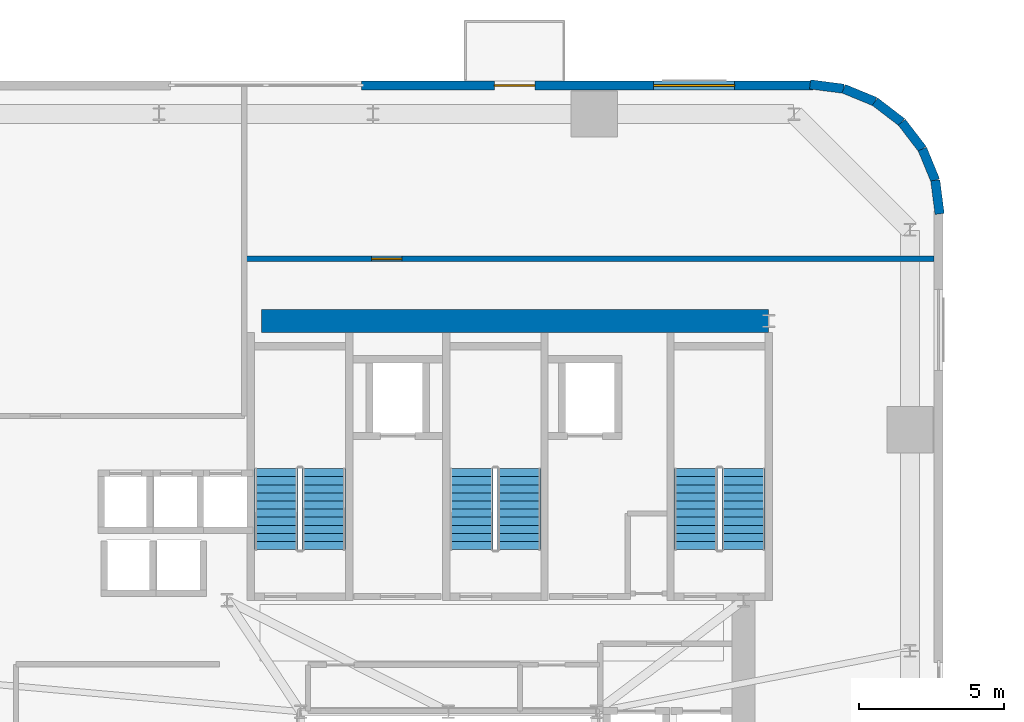
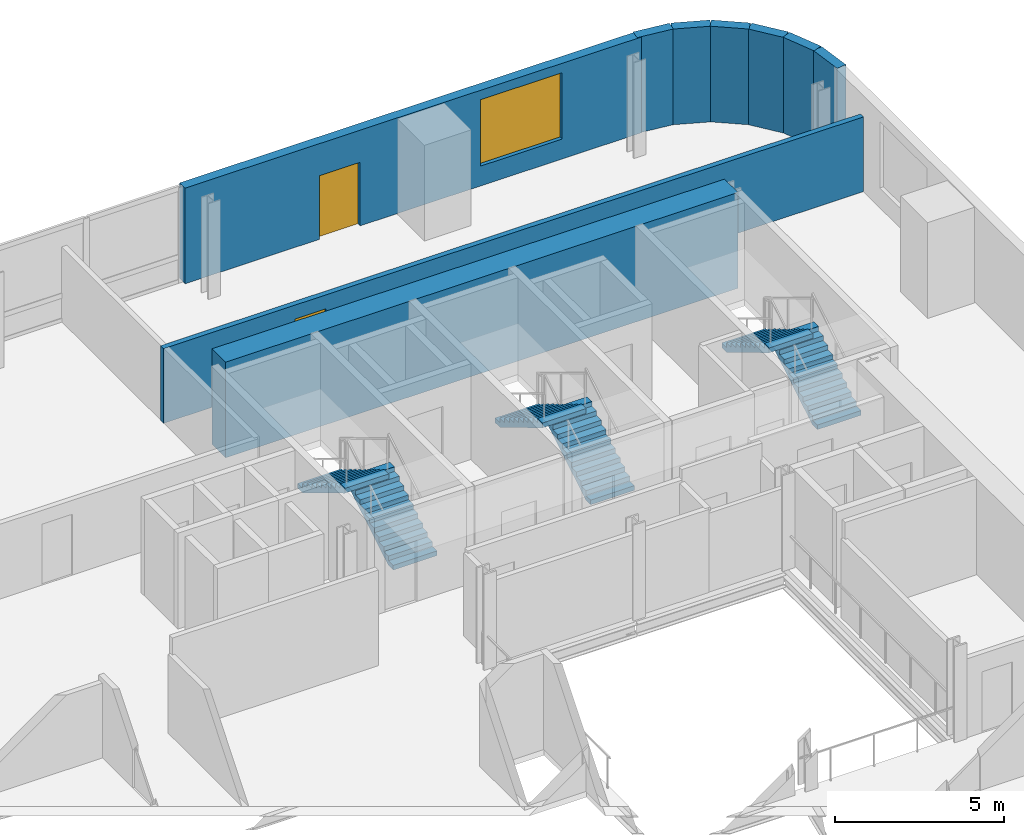
# One storey, part 9 of 12: 9 walls, 6 stair flights, 2 doors, 1 window, 3 openings, 3 elements without a shape of their own.
"""IFC4 building model written with IfcOpenShell, lengths in metres."""

from ifc_helpers import new_model, si_unit, direction, frame, frame_2d, origin, place, context, subcontext, project, spatial, polyline, rectangle, outline, extrude, source, transform, mapped, material, layer, layer_set, type_object, element, fill, aggregate, save


model = new_model("IFC4")

# Units and contexts
model_context = context("Model", 3, precision=1e-05, world=origin(), true_north=direction((0.0, 1.0)))
body_context = subcontext(model_context, "Body", "Model", "MODEL_VIEW")
ifc_project = project(units=[si_unit("LENGTHUNIT", "METRE"), si_unit("AREAUNIT", "SQUARE_METRE"), si_unit("VOLUMEUNIT", "CUBIC_METRE"), si_unit("PLANEANGLEUNIT", "RADIAN"), si_unit("MASSUNIT", "GRAM", prefix="KILO")], contexts=[model_context])

# Site, building, storey
site_placement = place(None, origin())
site = spatial("IfcSite", under=ifc_project, at=site_placement, CompositionType="ELEMENT")
building_placement = place(site_placement, origin())
building = spatial("IfcBuilding", under=site, at=building_placement, Name="Vardaveli Station Tower", CompositionType="ELEMENT")
storey_placement = place(building_placement, frame((0.0, 0.0, 118.699951171875)))
storey = spatial("IfcBuildingStorey", under=building, at=storey_placement, Name="L30", CompositionType="ELEMENT", Elevation=118.699951171875)

# Wall
ifc_material_1 = material(Name="Concrete C50/60", Category="concrete")
ifc_layer_1 = layer(ifc_material_1, 0.800048828125, Name="Concrete C50/60")
ifc_layer_set_1 = layer_set([ifc_layer_1], Name="Concrete C50/60")
wall_type_1 = type_object("IfcWallType", Name="WAL-CORE-800", PredefinedType="SHEAR", material=ifc_layer_set_1)
shared_shape_1 = source(origin(), body_context, "Body", "SweptSolid", [
    extrude(rectangle(XDim=17.52001953125, YDim=0.800048828125, at=frame_2d((8.760009765625, 0.0))), origin(), (0.0, 0.0, 1.0), 3.4599609375),
])
wall_1_placement = place(storey_placement, frame((29.85009765625, 40.300048828125, 0.0), z_axis=(0.0, 0.0, 1.0), x_axis=(1.0, 0.0, 0.0)))
element("IfcWall", 1, at=wall_1_placement, inside=storey, type_object=wall_type_1, Name="SW-L30-NORTH", PredefinedType="SHEAR", context=body_context, shape_type="MappedRepresentation", body=[
    mapped(shared_shape_1, transform((0.0, 0.0, 0.0), scale=1.0)),
])

# Wall, openings, door, window
ifc_material_2 = material(Name="Precast concrete C45/55", Category="concrete")
ifc_layer_2 = layer(ifc_material_2, 0.320068359375, Name="Precast concrete C45/55")
ifc_layer_set_2 = layer_set([ifc_layer_2], Name="Precast concrete C45/55")
wall_type_2 = type_object("IfcWallType", Name="WAL-EXT-STONE-320", PredefinedType="SOLIDWALL", material=ifc_layer_set_2)
shared_shape_2 = source(origin(), body_context, "Body", "SweptSolid", [
    extrude(rectangle(XDim=15.599853515625, YDim=0.320068359375, at=frame_2d((7.7998046875, 0.0))), origin(), (0.0, 0.0, 1.0), 3.4599609375),
])
wall_2_placement = place(storey_placement, frame((48.89990234375, 48.43994140625, 0.0), z_axis=(0.0, 0.0, 1.0), x_axis=(-1.0, 0.0, 0.0)))
wall_2 = element("IfcWall", 2, at=wall_2_placement, inside=storey, type_object=wall_type_2, Name="EW-L30-N1", PredefinedType="SOLIDWALL", context=body_context, shape_type="MappedRepresentation", body=[
    mapped(shared_shape_2, transform((0.0, 0.0, 0.0), scale=1.0)),
])
shared_shape_3 = source(origin(), body_context, "Body", "SweptSolid", [
    extrude(rectangle(XDim=1.39990234375, YDim=2.300048828125, at=frame_2d((0.699951171875, 1.14990234375))), frame((0.0, 0.169921875, 0.0), z_axis=(0.0, -1.0, 0.0), x_axis=(1.0, 0.0, 0.0)), (0.0, 0.0, 1.0), 0.340087890625),
])
opening_1_placement = place(wall_2_placement, frame((9.6103515625, 0.0, 0.0)))
opening_1 = element("IfcOpeningElement", 3, at=opening_1_placement, cuts=wall_2, Name="Opening D-09", PredefinedType="OPENING", context=body_context, shape_type="MappedRepresentation", body=[
    mapped(shared_shape_3, transform((0.0, 0.0, 0.0), scale=1.0)),
])
shared_shape_4 = source(origin(), body_context, "Body", "SweptSolid", [
    extrude(rectangle(XDim=2.800048828125, YDim=2.39990234375, at=frame_2d((1.39990234375, 1.199951171875))), frame((0.0, 0.169921875, 0.0), z_axis=(0.0, -1.0, 0.0), x_axis=(1.0, 0.0, 0.0)), (0.0, 0.0, 1.0), 0.340087890625),
])
opening_2_placement = place(wall_2_placement, frame((2.705078125, 0.0, 0.719970703125)))
opening_2 = element("IfcOpeningElement", 4, at=opening_2_placement, cuts=wall_2, Name="Opening W-04", PredefinedType="OPENING", context=body_context, shape_type="MappedRepresentation", body=[
    mapped(shared_shape_4, transform((0.0, 0.0, 0.0), scale=1.0)),
])
ifc_material_3 = material(Name="Thermally broken aluminium glass", Category="aluminium")
door_type_1 = type_object("IfcDoorType", Name="DR-LOG-1400x2300", OperationType="DOUBLE_DOOR_SLIDING", PredefinedType="DOOR", material=ifc_material_3)
shared_shape_5 = source(origin(), body_context, "Body", "SweptSolid", [
    extrude(rectangle(XDim=1.39990234375, YDim=2.300048828125, at=frame_2d((0.699951171875, 1.14990234375))), frame((0.0, 0.02490234375, 0.0), z_axis=(0.0, -1.0, 0.0), x_axis=(1.0, 0.0, 0.0)), (0.0, 0.0, 1.0), 0.050048828125),
])
door_1_placement = place(opening_1_placement, frame((1.39990234375, 0.0, 0.0), z_axis=(0.0, 0.0, 1.0), x_axis=(-1.0, 0.0, 0.0)))
door_1 = element("IfcDoor", 5, at=door_1_placement, inside=storey, type_object=door_type_1, Name="DLG-L30-N", OperationType="DOUBLE_DOOR_SLIDING", OverallHeight=2.300048828125, OverallWidth=1.39990234375, PredefinedType="DOOR", context=body_context, shape_type="MappedRepresentation", body=[
    mapped(shared_shape_5, transform((0.0, 0.0, 0.0), scale=1.0)),
])
fill(opening_1, door_1)
ifc_material_4 = material(Name="Low-E solar-control glass", Category="glass")
window_type = type_object("IfcWindowType", Name="WIN-SUITE-2800x2400", PartitioningType="SINGLE_PANEL", PredefinedType="WINDOW", material=ifc_material_4)
shared_shape_6 = source(origin(), body_context, "Body", "SweptSolid", [
    extrude(rectangle(XDim=2.800048828125, YDim=2.39990234375, at=frame_2d((1.39990234375, 1.199951171875))), frame((0.0, 0.030029296875, 0.0), z_axis=(0.0, -1.0, 0.0), x_axis=(1.0, 0.0, 0.0)), (0.0, 0.0, 1.0), 0.06005859375),
])
window_placement = place(opening_2_placement, origin())
window = element("IfcWindow", 6, at=window_placement, inside=storey, type_object=window_type, Name="WN-L30-N1", OverallHeight=2.39990234375, OverallWidth=2.800048828125, PartitioningType="SINGLE_PANEL", PredefinedType="WINDOW", context=body_context, shape_type="MappedRepresentation", body=[
    mapped(shared_shape_6, transform((0.0, 0.0, 0.0), scale=1.0)),
])
fill(opening_2, window)

# Walls
shared_shape_7 = source(origin(), body_context, "Body", "SweptSolid", [
    extrude(rectangle(XDim=1.1689453125, YDim=0.320068359375, at=frame_2d((0.58447265625, 0.0))), origin(), (0.0, 0.0, 1.0), 3.4599609375),
])
wall_3_placement = place(storey_placement, frame((52.679931640625, 46.2412109375, 0.0), z_axis=(0.0, 0.0, 1.0), x_axis=(-0.608387696831, 0.793639975269, 0.0)))
element("IfcWall", 7, at=wall_3_placement, inside=storey, type_object=wall_type_2, Name="EW-L30-CR3-3", PredefinedType="SOLIDWALL", context=body_context, shape_type="MappedRepresentation", body=[
    mapped(shared_shape_7, transform((0.0, 0.0, 0.0), scale=1.0)),
])
shared_shape_8 = source(origin(), body_context, "Body", "SweptSolid", [
    extrude(rectangle(XDim=1.168701171875, YDim=0.320068359375, at=frame_2d((0.58447265625, 0.0))), origin(), (0.0, 0.0, 1.0), 3.4599609375),
])
wall_4_placement = place(storey_placement, frame((51.96875, 47.1689453125, 0.0), z_axis=(0.0, 0.0, 1.0), x_axis=(-0.793663520347, 0.608356981114, 0.0)))
element("IfcWall", 8, at=wall_4_placement, inside=storey, type_object=wall_type_2, Name="EW-L30-CR3-4", PredefinedType="SOLIDWALL", context=body_context, shape_type="MappedRepresentation", body=[
    mapped(shared_shape_8, transform((0.0, 0.0, 0.0), scale=1.0)),
])
shared_shape_9 = source(origin(), body_context, "Body", "SweptSolid", [
    extrude(rectangle(XDim=1.17041015625, YDim=0.320068359375, at=frame_2d((0.585205078125, 0.0))), origin(), (0.0, 0.0, 1.0), 3.4599609375),
])
for number, where, z_axis, x_axis, name in (
    (9, (53.275634765625, 43.99951171875, 0.0), (0.0, 0.0, 1.0), (-0.128295670475, 0.991735963317, 0.0), "EW-L30-CR3-1"),
    (10, (49.960205078125, 48.325439453125, 0.0), (0.0, 0.0, 1.0), (-0.991735963317, 0.128295670475, 0.0), "EW-L30-CR3-6"),
):
    element("IfcWall", number, at=place(storey_placement, frame(where, z_axis=z_axis, x_axis=x_axis)), inside=storey, type_object=wall_type_2, Name=name, PredefinedType="SOLIDWALL", context=body_context, shape_type="MappedRepresentation", body=[
        mapped(shared_shape_9, transform((0.0, 0.0, 0.0), scale=1.0)),
    ])
shared_shape_10 = source(origin(), body_context, "Body", "SweptSolid", [
    extrude(rectangle(XDim=1.169189453125, YDim=0.320068359375, at=frame_2d((0.58447265625, 0.0))), origin(), (0.0, 0.0, 1.0), 3.4599609375),
])
for number, where, z_axis, x_axis, name in (
    (11, (53.12548828125, 45.16015625, 0.0), (0.0, 0.0, 1.0), (-0.381054331552, 0.924552646638, 0.0), "EW-L30-CR3-2"),
    (12, (51.041259765625, 47.8798828125, 0.0), (0.0, 0.0, 1.0), (-0.924552646638, 0.381054331552, 0.0), "EW-L30-CR3-5"),
):
    element("IfcWall", number, at=place(storey_placement, frame(where, z_axis=z_axis, x_axis=x_axis)), inside=storey, type_object=wall_type_2, Name=name, PredefinedType="SOLIDWALL", context=body_context, shape_type="MappedRepresentation", body=[
        mapped(shared_shape_10, transform((0.0, 0.0, 0.0), scale=1.0)),
    ])

# Wall, opening, door
ifc_material_5 = material(Name="Fire-rated gypsum stud partition")
ifc_layer_3 = layer(ifc_material_5, 0.179931640625, Name="Fire-rated gypsum stud partition")
ifc_layer_set_3 = layer_set([ifc_layer_3], Name="Fire-rated gypsum stud partition")
wall_type_3 = type_object("IfcWallType", Name="WAL-CORR-180", PredefinedType="PARTITIONING", material=ifc_layer_set_3)
shared_shape_11 = source(origin(), body_context, "Body", "SweptSolid", [
    extrude(rectangle(XDim=23.927978515625, YDim=0.179931640625, at=frame_2d((11.9638671875, 0.0))), origin(), (0.0, 0.0, 1.0), 2.7021484375),
])
wall_5_placement = place(storey_placement, frame((29.14990234375, 42.449951171875, 0.0), z_axis=(0.0, 0.0, 1.0), x_axis=(1.0, 0.0, 0.0)))
wall_5 = element("IfcWall", 13, at=wall_5_placement, inside=storey, type_object=wall_type_3, Name="W-L30-NPS", PredefinedType="PARTITIONING", context=body_context, shape_type="MappedRepresentation", body=[
    mapped(shared_shape_11, transform((0.0, 0.0, 0.0), scale=1.0)),
])
shared_shape_12 = source(origin(), body_context, "Body", "SweptSolid", [
    extrude(rectangle(XDim=1.050048828125, YDim=2.199951171875, at=frame_2d((0.52490234375, 1.10009765625))), frame((0.0, 0.10009765625, 0.0), z_axis=(0.0, -1.0, 0.0), x_axis=(1.0, 0.0, 0.0)), (0.0, 0.0, 1.0), 0.199951171875),
])
opening_3_placement = place(wall_5_placement, frame((4.5, 0.0, 0.0)))
opening_3 = element("IfcOpeningElement", 14, at=opening_3_placement, cuts=wall_5, Name="Opening D-05", PredefinedType="OPENING", context=body_context, shape_type="MappedRepresentation", body=[
    mapped(shared_shape_12, transform((0.0, 0.0, 0.0), scale=1.0)),
])
ifc_material_6 = material(Name="Walnut veneer acoustic fire door")
door_type_2 = type_object("IfcDoorType", Name="DR-SUITE-1050x2200", OperationType="NOTDEFINED", PredefinedType="DOOR", material=ifc_material_6)
shared_shape_13 = source(origin(), body_context, "Body", "SweptSolid", [
    extrude(rectangle(XDim=1.050048828125, YDim=2.199951171875, at=frame_2d((0.52490234375, 1.10009765625))), frame((0.0, 0.02490234375, 0.0), z_axis=(0.0, -1.0, 0.0), x_axis=(1.0, 0.0, 0.0)), (0.0, 0.0, 1.0), 0.050048828125),
])
door_2_placement = place(opening_3_placement, origin())
door_2 = element("IfcDoor", 15, at=door_2_placement, inside=storey, type_object=door_type_2, Name="D-L30-NP1", OperationType="SINGLE_SWING_LEFT", OverallHeight=2.199951171875, OverallWidth=1.050048828125, PredefinedType="DOOR", context=body_context, shape_type="MappedRepresentation", body=[
    mapped(shared_shape_13, transform((0.0, 0.0, 0.0), scale=1.0)),
])
fill(opening_3, door_2)

# Stair, stair flights
ifc_material_7 = material(Name="Concrete C40/50", Category="concrete")
stair_type = type_object("IfcStairType", Name="STR-CORE-1500", PredefinedType="HALF_TURN_STAIR", material=ifc_material_7)
stair_1_placement = place(storey_placement, origin())
stair_1 = element("IfcStair", 16, at=stair_1_placement, inside=storey, type_object=stair_type, Name="L30 ST-1", PredefinedType="HALF_TURN_STAIR")
stair_flight_type = type_object("IfcStairFlightType", Name="SFL-CORE-1500", PredefinedType="STRAIGHT", material=ifc_material_7)
shared_shape_14 = source(origin(), body_context, "Body", "SweptSolid", [
    extrude(outline(polyline([(0.0, 0.0), (0.0, 0.168212890625), (0.280029296875, 0.168212890625), (0.280029296875, 0.33642578125), (0.56005859375, 0.33642578125), (0.56005859375, 0.504638671875), (0.840087890625, 0.504638671875), (0.840087890625, 0.672607421875), (1.1201171875, 0.672607421875), (1.1201171875, 0.8408203125), (1.39990234375, 0.8408203125), (1.39990234375, 1.009033203125), (1.679931640625, 1.009033203125), (1.679931640625, 1.17724609375), (1.9599609375, 1.17724609375), (1.9599609375, 1.345458984375), (2.239990234375, 1.345458984375), (2.239990234375, 1.513671875), (2.52001953125, 1.513671875), (2.52001953125, 1.681884765625), (2.800048828125, 1.681884765625), (2.800048828125, 1.85009765625), (2.800048828125, 1.5068359375), (0.291015625, 0.0), (0.0, 0.0)])), frame((0.0, 0.75, 0.0), z_axis=(0.0, -1.0, 0.0), x_axis=(1.0, 0.0, 0.0)), (0.0, 0.0, 1.0), 1.5),
])
stair_flight_1_placement = place(storey_placement, frame((32.0, 32.39990234375, 0.0), z_axis=(0.0, 0.0, 1.0), x_axis=(0.0, 1.0, 0.0)))
stair_flight_1 = element("IfcStairFlight", 17, at=stair_flight_1_placement, type_object=stair_flight_type, Name="ST-1 flight 1", NumberOfRisers=11, NumberOfTreads=10, PredefinedType="STRAIGHT", RiserHeight=0.168181818, TreadLength=0.28, context=body_context, shape_type="MappedRepresentation", body=[
    mapped(shared_shape_14, transform((0.0, 0.0, 0.0), scale=1.0)),
])
stair_flight_2_placement = place(storey_placement, frame((30.35009765625, 35.199951171875, 1.85009765625), z_axis=(0.0, 0.0, 1.0), x_axis=(0.0, -1.0, 0.0)))
stair_flight_2 = element("IfcStairFlight", 18, at=stair_flight_2_placement, type_object=stair_flight_type, Name="ST-1 flight 2", NumberOfRisers=11, NumberOfTreads=10, PredefinedType="STRAIGHT", RiserHeight=0.168181818, TreadLength=0.28, context=body_context, shape_type="MappedRepresentation", body=[
    mapped(shared_shape_14, transform((0.0, 0.0, 0.0), scale=1.0)),
])
aggregate(stair_1, [stair_flight_1, stair_flight_2])

stair_2_placement = place(storey_placement, origin())
stair_2 = element("IfcStair", 19, at=stair_2_placement, inside=storey, type_object=stair_type, Name="L30 ST-2", PredefinedType="HALF_TURN_STAIR")
stair_flight_3_placement = place(storey_placement, frame((38.75, 32.39990234375, 0.0), z_axis=(0.0, 0.0, 1.0), x_axis=(0.0, 1.0, 0.0)))
stair_flight_3 = element("IfcStairFlight", 20, at=stair_flight_3_placement, type_object=stair_flight_type, Name="ST-2 flight 1", NumberOfRisers=11, NumberOfTreads=10, PredefinedType="STRAIGHT", RiserHeight=0.168181818, TreadLength=0.28, context=body_context, shape_type="MappedRepresentation", body=[
    mapped(shared_shape_14, transform((0.0, 0.0, 0.0), scale=1.0)),
])
stair_flight_4_placement = place(storey_placement, frame((37.10009765625, 35.199951171875, 1.85009765625), z_axis=(0.0, 0.0, 1.0), x_axis=(0.0, -1.0, 0.0)))
stair_flight_4 = element("IfcStairFlight", 21, at=stair_flight_4_placement, type_object=stair_flight_type, Name="ST-2 flight 2", NumberOfRisers=11, NumberOfTreads=10, PredefinedType="STRAIGHT", RiserHeight=0.168181818, TreadLength=0.28, context=body_context, shape_type="MappedRepresentation", body=[
    mapped(shared_shape_14, transform((0.0, 0.0, 0.0), scale=1.0)),
])
aggregate(stair_2, [stair_flight_3, stair_flight_4])

stair_3_placement = place(storey_placement, origin())
stair_3 = element("IfcStair", 22, at=stair_3_placement, inside=storey, type_object=stair_type, Name="L30 ST-3", PredefinedType="HALF_TURN_STAIR")
stair_flight_5_placement = place(storey_placement, frame((46.5, 32.39990234375, 0.0), z_axis=(0.0, 0.0, 1.0), x_axis=(0.0, 1.0, 0.0)))
stair_flight_5 = element("IfcStairFlight", 23, at=stair_flight_5_placement, type_object=stair_flight_type, Name="ST-3 flight 1", NumberOfRisers=11, NumberOfTreads=10, PredefinedType="STRAIGHT", RiserHeight=0.168181818, TreadLength=0.28, context=body_context, shape_type="MappedRepresentation", body=[
    mapped(shared_shape_14, transform((0.0, 0.0, 0.0), scale=1.0)),
])
stair_flight_6_placement = place(storey_placement, frame((44.85009765625, 35.199951171875, 1.85009765625), z_axis=(0.0, 0.0, 1.0), x_axis=(0.0, -1.0, 0.0)))
stair_flight_6 = element("IfcStairFlight", 24, at=stair_flight_6_placement, type_object=stair_flight_type, Name="ST-3 flight 2", NumberOfRisers=11, NumberOfTreads=10, PredefinedType="STRAIGHT", RiserHeight=0.168181818, TreadLength=0.28, context=body_context, shape_type="MappedRepresentation", body=[
    mapped(shared_shape_14, transform((0.0, 0.0, 0.0), scale=1.0)),
])
aggregate(stair_3, [stair_flight_5, stair_flight_6])

save(model, "model.ifc")
